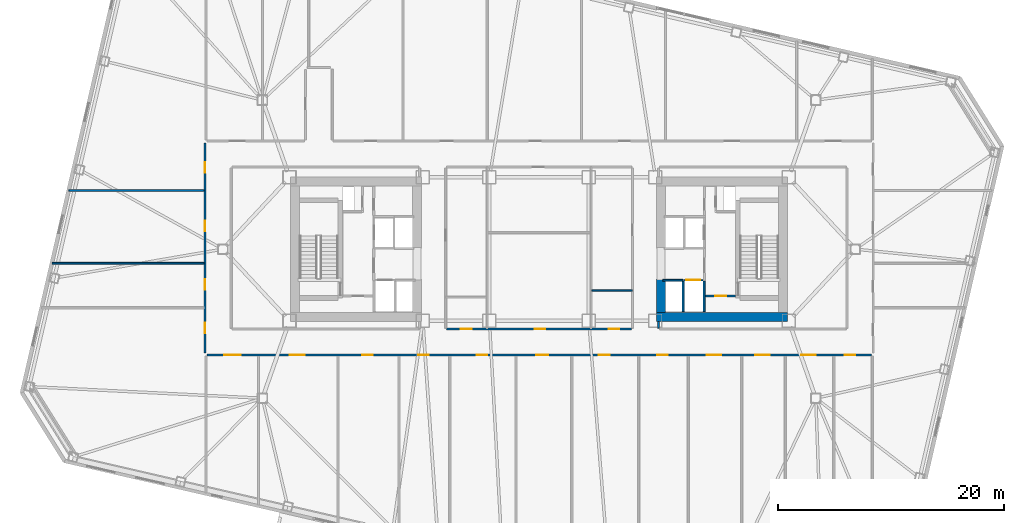
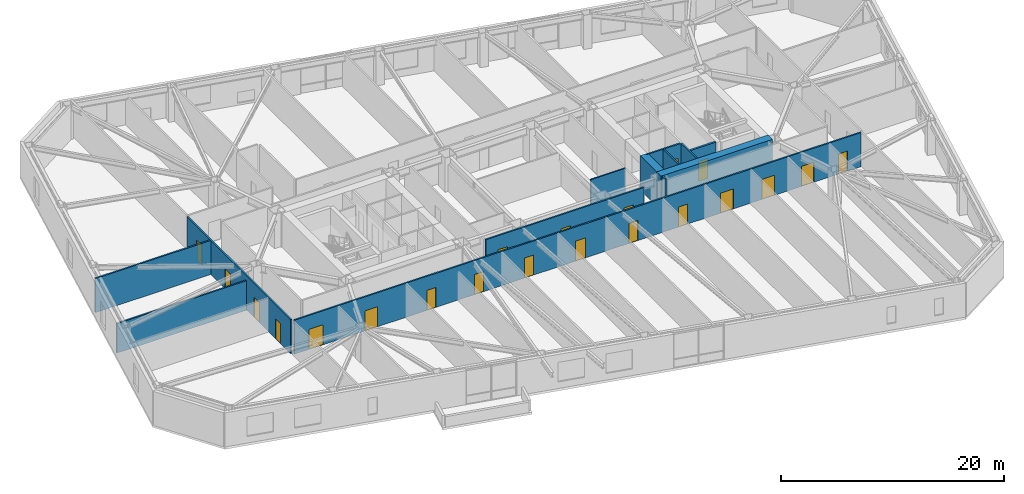
# One storey, part 13 of 22: 21 doors, 14 walls, 21 openings.
"""IFC4 building model written with IfcOpenShell, lengths in metres."""

from ifc_helpers import new_model, si_unit, direction, frame, frame_2d, origin, place, context, subcontext, project, spatial, rectangle, extrude, material, layer, layer_set, type_object, element, fill, save


model = new_model("IFC4")

# Units and contexts
model_context = context("Model", 3, precision=1e-05, world=origin(), true_north=direction((0.0, 1.0)))
body_context = subcontext(model_context, "Body", "Model", "MODEL_VIEW")
ifc_project = project(units=[si_unit("LENGTHUNIT", "METRE"), si_unit("AREAUNIT", "SQUARE_METRE"), si_unit("VOLUMEUNIT", "CUBIC_METRE"), si_unit("PLANEANGLEUNIT", "RADIAN"), si_unit("MASSUNIT", "GRAM", prefix="KILO")], contexts=[model_context])

# Site, building, storey
site_placement = place(None, origin())
site = spatial("IfcSite", under=ifc_project, at=site_placement, CompositionType="ELEMENT")
building_placement = place(site_placement, origin())
building = spatial("IfcBuilding", under=site, at=building_placement, Name="Tavrogorsk Clinical Tower", CompositionType="ELEMENT")
storey_placement = place(building_placement, frame((0.0, 0.0, 55.39990234375)))
storey = spatial("IfcBuildingStorey", under=building, at=storey_placement, Name="L11", CompositionType="ELEMENT", Elevation=55.39990234375)

# Wall, opening, door
ifc_material_1 = material(Name="Concrete B60", Category="concrete")
ifc_layer_1 = layer(ifc_material_1, 0.199951171875)
ifc_layer_set_1 = layer_set([ifc_layer_1], Name="Concrete B60")
wall_type_1 = type_object("IfcWallType", Name="CoreFireWall_200", PredefinedType="SOLIDWALL", material=ifc_layer_set_1)
wall_1_placement = place(storey_placement, frame((14.719970703125, -4.139892578125, 0.0), z_axis=(0.0, 0.0, 1.0), x_axis=(1.0, 0.0, 0.0)))
wall_1 = element("IfcWall", 1, at=wall_1_placement, inside=storey, type_object=wall_type_1, Name="L11 Core East South Core Room Fire Wall", PredefinedType="SOLIDWALL", context=body_context, shape_type="SweptSolid", body=[
    extrude(rectangle(XDim=2.659912109375, YDim=0.199951171875, at=frame_2d((1.330078125, 0.0))), origin(), (0.0, 0.0, 1.0), 3.739990234375),
])
opening_1_placement = place(wall_1_placement, frame((0.8798828125, 0.0, 0.0)))
opening_1 = element("IfcOpeningElement", 2, at=opening_1_placement, cuts=wall_1, Name="Opening ID-02", PredefinedType="OPENING", context=body_context, shape_type="SweptSolid", body=[
    extrude(rectangle(XDim=0.949951171875, YDim=2.199951171875, at=frame_2d((0.47509765625, 1.10009765625))), frame((0.0, 0.10986328125, 0.0), z_axis=(0.0, -1.0, 0.0), x_axis=(1.0, 0.0, 0.0)), (0.0, 0.0, 1.0), 0.219970703125),
])
ifc_material_2 = material(Name="Laminated timber leaf on aluminium frame", Category="wood")
door_type_1 = type_object("IfcDoorType", Name="InteriorDoor_ID02_950", OperationType="NOTDEFINED", PredefinedType="DOOR", material=ifc_material_2)
door_1_placement = place(opening_1_placement, origin())
door_1 = element("IfcDoor", 3, at=door_1_placement, inside=storey, type_object=door_type_1, Name="L11 Core East South Core Room Door", OperationType="SINGLE_SWING_RIGHT", OverallHeight=2.199951171875, OverallWidth=0.949951171875, PredefinedType="DOOR", context=body_context, shape_type="SweptSolid", body=[
    extrude(rectangle(XDim=0.949951171875, YDim=2.199951171875, at=frame_2d((0.47509765625, 1.10009765625))), frame((0.0, 0.02490234375, 0.0), z_axis=(0.0, -1.0, 0.0), x_axis=(1.0, 0.0, 0.0)), (0.0, 0.0, 1.0), 0.050048828125),
])
fill(opening_1, door_1)

# Wall
ifc_material_3 = material(Name="Lightweight concrete blockwork B15", Category="masonry")
ifc_layer_2 = layer(ifc_material_3, 0.139892578125)
ifc_layer_set_2 = layer_set([ifc_layer_2], Name="Lightweight concrete blockwork B15")
wall_type_2 = type_object("IfcWallType", Name="PartitionWall_140", PredefinedType="PARTITIONING", material=ifc_layer_set_2)
wall_2_placement = place(storey_placement, frame((4.675048828125, -3.64990234375, 0.0), z_axis=(0.0, 0.0, 1.0), x_axis=(1.0, 0.0, 0.0)))
element("IfcWall", 4, at=wall_2_placement, inside=storey, type_object=wall_type_2, Name="L11 Central Spine Partition 5", PredefinedType="PARTITIONING", context=body_context, shape_type="SweptSolid", body=[
    extrude(rectangle(XDim=3.58984375, YDim=0.139892578125, at=frame_2d((1.794921875, 0.0))), origin(), (0.0, 0.0, 1.0), 3.739990234375),
])

# Wall, openings, doors
ifc_material_4 = material(Name="Lightweight concrete blockwork B15", Category="masonry")
ifc_layer_3 = layer(ifc_material_4, 0.159912109375)
ifc_layer_set_3 = layer_set([ifc_layer_3], Name="Lightweight concrete blockwork B15")
wall_type_3 = type_object("IfcWallType", Name="PartitionWall_160", PredefinedType="PARTITIONING", material=ifc_layer_set_3)
wall_3_placement = place(storey_placement, frame((-29.580078125, -9.215087890625, 0.0), z_axis=(0.0, 0.0, 1.0), x_axis=(0.0, 1.0, 0.0)))
wall_3 = element("IfcWall", 5, at=wall_3_placement, inside=storey, type_object=wall_type_3, Name="L11 Corridor Partition 01", PredefinedType="PARTITIONING", context=body_context, shape_type="SweptSolid", body=[
    extrude(rectangle(XDim=18.630126953125, YDim=0.159912109375, at=frame_2d((9.31494140625, 0.0))), origin(), (0.0, 0.0, 1.0), 3.739990234375),
])
opening_2_placement = place(wall_3_placement, frame((1.76904296875, 0.0, 0.0)))
opening_2 = element("IfcOpeningElement", 6, at=opening_2_placement, cuts=wall_3, Name="Opening ID-02", PredefinedType="OPENING", context=body_context, shape_type="SweptSolid", body=[
    extrude(rectangle(XDim=0.949951171875, YDim=2.199951171875, at=frame_2d((0.47509765625, 1.10009765625))), frame((0.0, 0.08984375, 0.0), z_axis=(0.0, -1.0, 0.0), x_axis=(1.0, 0.0, 0.0)), (0.0, 0.0, 1.0), 0.179931640625),
])
opening_3_placement = place(wall_3_placement, frame((5.60009765625, 0.0, 0.0)))
opening_3 = element("IfcOpeningElement", 7, at=opening_3_placement, cuts=wall_3, Name="Opening ID-02", PredefinedType="OPENING", context=body_context, shape_type="SweptSolid", body=[
    extrude(rectangle(XDim=0.949951171875, YDim=2.199951171875, at=frame_2d((0.47509765625, 1.10009765625))), frame((0.0, 0.08984375, 0.0), z_axis=(0.0, -1.0, 0.0), x_axis=(1.0, 0.0, 0.0)), (0.0, 0.0, 1.0), 0.179931640625),
])
opening_4_placement = place(wall_3_placement, frame((10.800048828125, 0.0, 0.0)))
opening_4 = element("IfcOpeningElement", 8, at=opening_4_placement, cuts=wall_3, Name="Opening ID-02", PredefinedType="OPENING", context=body_context, shape_type="SweptSolid", body=[
    extrude(rectangle(XDim=0.949951171875, YDim=2.199951171875, at=frame_2d((0.47509765625, 1.10009765625))), frame((0.0, 0.08984375, 0.0), z_axis=(0.0, -1.0, 0.0), x_axis=(1.0, 0.0, 0.0)), (0.0, 0.0, 1.0), 0.179931640625),
])
opening_5_placement = place(wall_3_placement, frame((15.98095703125, 0.0, 0.0)))
opening_5 = element("IfcOpeningElement", 9, at=opening_5_placement, cuts=wall_3, Name="Opening ID-02", PredefinedType="OPENING", context=body_context, shape_type="SweptSolid", body=[
    extrude(rectangle(XDim=0.949951171875, YDim=2.199951171875, at=frame_2d((0.47509765625, 1.10009765625))), frame((0.0, 0.08984375, 0.0), z_axis=(0.0, -1.0, 0.0), x_axis=(1.0, 0.0, 0.0)), (0.0, 0.0, 1.0), 0.179931640625),
])
door_2_placement = place(opening_2_placement, origin())
door_2 = element("IfcDoor", 10, at=door_2_placement, inside=storey, type_object=door_type_1, Name="L11 W Solarium Day Room & Lounge 1 Door", OperationType="SINGLE_SWING_LEFT", OverallHeight=2.199951171875, OverallWidth=0.949951171875, PredefinedType="DOOR", context=body_context, shape_type="SweptSolid", body=[
    extrude(rectangle(XDim=0.949951171875, YDim=2.199951171875, at=frame_2d((0.47509765625, 1.10009765625))), frame((0.0, 0.02490234375, 0.0), z_axis=(0.0, -1.0, 0.0), x_axis=(1.0, 0.0, 0.0)), (0.0, 0.0, 1.0), 0.050048828125),
])
fill(opening_2, door_2)
door_3_placement = place(opening_3_placement, origin())
door_3 = element("IfcDoor", 11, at=door_3_placement, inside=storey, type_object=door_type_1, Name="L11 W Rehabilitation Therapy Suite 2 Door", OperationType="SINGLE_SWING_RIGHT", OverallHeight=2.199951171875, OverallWidth=0.949951171875, PredefinedType="DOOR", context=body_context, shape_type="SweptSolid", body=[
    extrude(rectangle(XDim=0.949951171875, YDim=2.199951171875, at=frame_2d((0.47509765625, 1.10009765625))), frame((0.0, 0.02490234375, 0.0), z_axis=(0.0, -1.0, 0.0), x_axis=(1.0, 0.0, 0.0)), (0.0, 0.0, 1.0), 0.050048828125),
])
fill(opening_3, door_3)
door_4_placement = place(opening_4_placement, origin())
door_4 = element("IfcDoor", 12, at=door_4_placement, inside=storey, type_object=door_type_1, Name="L11 W Sub-Acute Observation Suite 3 Door", OperationType="SINGLE_SWING_LEFT", OverallHeight=2.199951171875, OverallWidth=0.949951171875, PredefinedType="DOOR", context=body_context, shape_type="SweptSolid", body=[
    extrude(rectangle(XDim=0.949951171875, YDim=2.199951171875, at=frame_2d((0.47509765625, 1.10009765625))), frame((0.0, 0.02490234375, 0.0), z_axis=(0.0, -1.0, 0.0), x_axis=(1.0, 0.0, 0.0)), (0.0, 0.0, 1.0), 0.050048828125),
])
fill(opening_4, door_4)
door_5_placement = place(opening_5_placement, origin())
door_5 = element("IfcDoor", 13, at=door_5_placement, inside=storey, type_object=door_type_1, Name="L11 W Family Consultation Lounge 4 Door", OperationType="SINGLE_SWING_RIGHT", OverallHeight=2.199951171875, OverallWidth=0.949951171875, PredefinedType="DOOR", context=body_context, shape_type="SweptSolid", body=[
    extrude(rectangle(XDim=0.949951171875, YDim=2.199951171875, at=frame_2d((0.47509765625, 1.10009765625))), frame((0.0, 0.02490234375, 0.0), z_axis=(0.0, -1.0, 0.0), x_axis=(1.0, 0.0, 0.0)), (0.0, 0.0, 1.0), 0.050048828125),
])
fill(opening_5, door_5)

wall_4_placement = place(storey_placement, frame((29.4150390625, -9.3798828125, 0.0), z_axis=(0.0, 0.0, 1.0), x_axis=(-1.0, 0.0, 0.0)))
wall_4 = element("IfcWall", 14, at=wall_4_placement, inside=storey, type_object=wall_type_3, Name="L11 Corridor Partition 08", PredefinedType="PARTITIONING", context=body_context, shape_type="SweptSolid", body=[
    extrude(rectangle(XDim=58.830078125, YDim=0.159912109375, at=frame_2d((29.4150390625, 0.0))), origin(), (0.0, 0.0, 1.0), 3.739990234375),
])
opening_6_placement = place(wall_4_placement, frame((55.830810546875, 0.0, 0.0)))
opening_6 = element("IfcOpeningElement", 15, at=opening_6_placement, cuts=wall_4, Name="Opening ID-05", PredefinedType="OPENING", context=body_context, shape_type="SweptSolid", body=[
    extrude(rectangle(XDim=1.449951171875, YDim=2.199951171875, at=frame_2d((0.72509765625, 1.10009765625))), frame((0.0, 0.08984375, 0.0), z_axis=(0.0, -1.0, 0.0), x_axis=(1.0, 0.0, 0.0)), (0.0, 0.0, 1.0), 0.179931640625),
])
opening_7_placement = place(wall_4_placement, frame((50.175048828125, 0.0, 0.0)))
opening_7 = element("IfcOpeningElement", 16, at=opening_7_placement, cuts=wall_4, Name="Opening ID-01", PredefinedType="OPENING", context=body_context, shape_type="SweptSolid", body=[
    extrude(rectangle(XDim=1.300048828125, YDim=2.199951171875, at=frame_2d((0.64990234375, 1.10009765625))), frame((0.0, 0.08984375, 0.0), z_axis=(0.0, -1.0, 0.0), x_axis=(1.0, 0.0, 0.0)), (0.0, 0.0, 1.0), 0.179931640625),
])
opening_8_placement = place(wall_4_placement, frame((44.125, 0.0, 0.0)))
opening_8 = element("IfcOpeningElement", 17, at=opening_8_placement, cuts=wall_4, Name="Opening ID-02", PredefinedType="OPENING", context=body_context, shape_type="SweptSolid", body=[
    extrude(rectangle(XDim=0.949951171875, YDim=2.199951171875, at=frame_2d((0.47509765625, 1.10009765625))), frame((0.0, 0.08984375, 0.0), z_axis=(0.0, -1.0, 0.0), x_axis=(1.0, 0.0, 0.0)), (0.0, 0.0, 1.0), 0.179931640625),
])
opening_9_placement = place(wall_4_placement, frame((39.175048828125, 0.0, 0.0)))
opening_9 = element("IfcOpeningElement", 18, at=opening_9_placement, cuts=wall_4, Name="Opening ID-02", PredefinedType="OPENING", context=body_context, shape_type="SweptSolid", body=[
    extrude(rectangle(XDim=0.949951171875, YDim=2.199951171875, at=frame_2d((0.47509765625, 1.10009765625))), frame((0.0, 0.08984375, 0.0), z_axis=(0.0, -1.0, 0.0), x_axis=(1.0, 0.0, 0.0)), (0.0, 0.0, 1.0), 0.179931640625),
])
opening_10_placement = place(wall_4_placement, frame((34.0, 0.0, 0.0)))
opening_10 = element("IfcOpeningElement", 19, at=opening_10_placement, cuts=wall_4, Name="Opening ID-02", PredefinedType="OPENING", context=body_context, shape_type="SweptSolid", body=[
    extrude(rectangle(XDim=0.949951171875, YDim=2.199951171875, at=frame_2d((0.47509765625, 1.10009765625))), frame((0.0, 0.08984375, 0.0), z_axis=(0.0, -1.0, 0.0), x_axis=(1.0, 0.0, 0.0)), (0.0, 0.0, 1.0), 0.179931640625),
])
opening_11_placement = place(wall_4_placement, frame((28.60009765625, 0.0, 0.0)))
opening_11 = element("IfcOpeningElement", 20, at=opening_11_placement, cuts=wall_4, Name="Opening ID-04", PredefinedType="OPENING", context=body_context, shape_type="SweptSolid", body=[
    extrude(rectangle(XDim=1.050048828125, YDim=2.199951171875, at=frame_2d((0.52490234375, 1.10009765625))), frame((0.0, 0.08984375, 0.0), z_axis=(0.0, -1.0, 0.0), x_axis=(1.0, 0.0, 0.0)), (0.0, 0.0, 1.0), 0.179931640625),
])
opening_12_placement = place(wall_4_placement, frame((23.1650390625, 0.0, 0.0)))
opening_12 = element("IfcOpeningElement", 21, at=opening_12_placement, cuts=wall_4, Name="Opening ID-02", PredefinedType="OPENING", context=body_context, shape_type="SweptSolid", body=[
    extrude(rectangle(XDim=0.949951171875, YDim=2.199951171875, at=frame_2d((0.47509765625, 1.10009765625))), frame((0.0, 0.08984375, 0.0), z_axis=(0.0, -1.0, 0.0), x_axis=(1.0, 0.0, 0.0)), (0.0, 0.0, 1.0), 0.179931640625),
])
opening_13_placement = place(wall_4_placement, frame((18.014892578125, 0.0, 0.0)))
opening_13 = element("IfcOpeningElement", 22, at=opening_13_placement, cuts=wall_4, Name="Opening ID-02", PredefinedType="OPENING", context=body_context, shape_type="SweptSolid", body=[
    extrude(rectangle(XDim=0.949951171875, YDim=2.199951171875, at=frame_2d((0.47509765625, 1.10009765625))), frame((0.0, 0.08984375, 0.0), z_axis=(0.0, -1.0, 0.0), x_axis=(1.0, 0.0, 0.0)), (0.0, 0.0, 1.0), 0.179931640625),
])
opening_14_placement = place(wall_4_placement, frame((13.27490234375, 0.0, 0.0)))
opening_14 = element("IfcOpeningElement", 23, at=opening_14_placement, cuts=wall_4, Name="Opening ID-01", PredefinedType="OPENING", context=body_context, shape_type="SweptSolid", body=[
    extrude(rectangle(XDim=1.300048828125, YDim=2.199951171875, at=frame_2d((0.64990234375, 1.10009765625))), frame((0.0, 0.08984375, 0.0), z_axis=(0.0, -1.0, 0.0), x_axis=(1.0, 0.0, 0.0)), (0.0, 0.0, 1.0), 0.179931640625),
])
opening_15_placement = place(wall_4_placement, frame((8.97509765625, 0.0, 0.0)))
opening_15 = element("IfcOpeningElement", 24, at=opening_15_placement, cuts=wall_4, Name="Opening ID-01", PredefinedType="OPENING", context=body_context, shape_type="SweptSolid", body=[
    extrude(rectangle(XDim=1.300048828125, YDim=2.199951171875, at=frame_2d((0.64990234375, 1.10009765625))), frame((0.0, 0.08984375, 0.0), z_axis=(0.0, -1.0, 0.0), x_axis=(1.0, 0.0, 0.0)), (0.0, 0.0, 1.0), 0.179931640625),
])
opening_16_placement = place(wall_4_placement, frame((4.89990234375, 0.0, 0.0)))
opening_16 = element("IfcOpeningElement", 25, at=opening_16_placement, cuts=wall_4, Name="Opening ID-01", PredefinedType="OPENING", context=body_context, shape_type="SweptSolid", body=[
    extrude(rectangle(XDim=1.300048828125, YDim=2.199951171875, at=frame_2d((0.64990234375, 1.10009765625))), frame((0.0, 0.08984375, 0.0), z_axis=(0.0, -1.0, 0.0), x_axis=(1.0, 0.0, 0.0)), (0.0, 0.0, 1.0), 0.179931640625),
])
opening_17_placement = place(wall_4_placement, frame((1.419189453125, 0.0, 0.0)))
opening_17 = element("IfcOpeningElement", 26, at=opening_17_placement, cuts=wall_4, Name="Opening ID-02", PredefinedType="OPENING", context=body_context, shape_type="SweptSolid", body=[
    extrude(rectangle(XDim=0.949951171875, YDim=2.199951171875, at=frame_2d((0.47509765625, 1.10009765625))), frame((0.0, 0.08984375, 0.0), z_axis=(0.0, -1.0, 0.0), x_axis=(1.0, 0.0, 0.0)), (0.0, 0.0, 1.0), 0.179931640625),
])
ifc_material_5 = material(Name="Antibacterial HPL consultation door on aluminium frame", Category="aluminium")
door_type_2 = type_object("IfcDoorType", Name="ConsultDoor_ID04_1050", OperationType="NOTDEFINED", PredefinedType="DOOR", material=ifc_material_5)
door_6_placement = place(opening_11_placement, origin())
door_6 = element("IfcDoor", 27, at=door_6_placement, inside=storey, type_object=door_type_2, Name="L11 South Cardiology Diagnostics Room 04B Door", OperationType="SINGLE_SWING_RIGHT", OverallHeight=2.199951171875, OverallWidth=1.050048828125, PredefinedType="DOOR", context=body_context, shape_type="SweptSolid", body=[
    extrude(rectangle(XDim=1.050048828125, YDim=2.199951171875, at=frame_2d((0.52490234375, 1.10009765625))), frame((0.0, 0.02490234375, 0.0), z_axis=(0.0, -1.0, 0.0), x_axis=(1.0, 0.0, 0.0)), (0.0, 0.0, 1.0), 0.050048828125),
])
fill(opening_11, door_6)
ifc_material_6 = material(Name="Antibacterial HPL bariatric ward double door")
door_type_3 = type_object("IfcDoorType", Name="DoubleWardDoor_ID05_1450", OperationType="DOUBLE_SWING_LEFT", PredefinedType="DOOR", material=ifc_material_6)
door_7_placement = place(opening_6_placement, origin())
door_7 = element("IfcDoor", 28, at=door_7_placement, inside=storey, type_object=door_type_3, Name="L11 South Bariatric Observation Ward 01 Door", OperationType="DOUBLE_SWING_LEFT", OverallHeight=2.199951171875, OverallWidth=1.449951171875, PredefinedType="DOOR", context=body_context, shape_type="SweptSolid", body=[
    extrude(rectangle(XDim=1.449951171875, YDim=2.199951171875, at=frame_2d((0.72509765625, 1.10009765625))), frame((0.0, 0.02490234375, 0.0), z_axis=(0.0, -1.0, 0.0), x_axis=(1.0, 0.0, 0.0)), (0.0, 0.0, 1.0), 0.050048828125),
])
fill(opening_6, door_7)
door_8_placement = place(opening_8_placement, origin())
door_8 = element("IfcDoor", 29, at=door_8_placement, inside=storey, type_object=door_type_1, Name="L11 South Soiled Utility & Sluice Room 03A Door", OperationType="SINGLE_SWING_LEFT", OverallHeight=2.199951171875, OverallWidth=0.949951171875, PredefinedType="DOOR", context=body_context, shape_type="SweptSolid", body=[
    extrude(rectangle(XDim=0.949951171875, YDim=2.199951171875, at=frame_2d((0.47509765625, 1.10009765625))), frame((0.0, 0.02490234375, 0.0), z_axis=(0.0, -1.0, 0.0), x_axis=(1.0, 0.0, 0.0)), (0.0, 0.0, 1.0), 0.050048828125),
])
fill(opening_8, door_8)
door_9_placement = place(opening_9_placement, origin())
door_9 = element("IfcDoor", 30, at=door_9_placement, inside=storey, type_object=door_type_1, Name="L11 South Outpatient Procedure Suite 03B Door", OperationType="SINGLE_SWING_RIGHT", OverallHeight=2.199951171875, OverallWidth=0.949951171875, PredefinedType="DOOR", context=body_context, shape_type="SweptSolid", body=[
    extrude(rectangle(XDim=0.949951171875, YDim=2.199951171875, at=frame_2d((0.47509765625, 1.10009765625))), frame((0.0, 0.02490234375, 0.0), z_axis=(0.0, -1.0, 0.0), x_axis=(1.0, 0.0, 0.0)), (0.0, 0.0, 1.0), 0.050048828125),
])
fill(opening_9, door_9)
door_10_placement = place(opening_10_placement, origin())
door_10 = element("IfcDoor", 31, at=door_10_placement, inside=storey, type_object=door_type_1, Name="L11 South Clinical Case Seminar Room 04A Door", OperationType="SINGLE_SWING_LEFT", OverallHeight=2.199951171875, OverallWidth=0.949951171875, PredefinedType="DOOR", context=body_context, shape_type="SweptSolid", body=[
    extrude(rectangle(XDim=0.949951171875, YDim=2.199951171875, at=frame_2d((0.47509765625, 1.10009765625))), frame((0.0, 0.02490234375, 0.0), z_axis=(0.0, -1.0, 0.0), x_axis=(1.0, 0.0, 0.0)), (0.0, 0.0, 1.0), 0.050048828125),
])
fill(opening_10, door_10)
door_11_placement = place(opening_12_placement, origin())
door_11 = element("IfcDoor", 32, at=door_11_placement, inside=storey, type_object=door_type_1, Name="L11 South Staff Rest & Nourishment Lounge 05A Door", OperationType="SINGLE_SWING_LEFT", OverallHeight=2.199951171875, OverallWidth=0.949951171875, PredefinedType="DOOR", context=body_context, shape_type="SweptSolid", body=[
    extrude(rectangle(XDim=0.949951171875, YDim=2.199951171875, at=frame_2d((0.47509765625, 1.10009765625))), frame((0.0, 0.02490234375, 0.0), z_axis=(0.0, -1.0, 0.0), x_axis=(1.0, 0.0, 0.0)), (0.0, 0.0, 1.0), 0.050048828125),
])
fill(opening_12, door_11)
door_12_placement = place(opening_13_placement, origin())
door_12 = element("IfcDoor", 33, at=door_12_placement, inside=storey, type_object=door_type_1, Name="L11 South Attending Physician Office 05B Door", OperationType="SINGLE_SWING_RIGHT", OverallHeight=2.199951171875, OverallWidth=0.949951171875, PredefinedType="DOOR", context=body_context, shape_type="SweptSolid", body=[
    extrude(rectangle(XDim=0.949951171875, YDim=2.199951171875, at=frame_2d((0.47509765625, 1.10009765625))), frame((0.0, 0.02490234375, 0.0), z_axis=(0.0, -1.0, 0.0), x_axis=(1.0, 0.0, 0.0)), (0.0, 0.0, 1.0), 0.050048828125),
])
fill(opening_13, door_12)
door_13_placement = place(opening_17_placement, origin())
door_13 = element("IfcDoor", 34, at=door_13_placement, inside=storey, type_object=door_type_1, Name="L11 South Clean Medication & Prep Room 07B Door", OperationType="SINGLE_SWING_RIGHT", OverallHeight=2.199951171875, OverallWidth=0.949951171875, PredefinedType="DOOR", context=body_context, shape_type="SweptSolid", body=[
    extrude(rectangle(XDim=0.949951171875, YDim=2.199951171875, at=frame_2d((0.47509765625, 1.10009765625))), frame((0.0, 0.02490234375, 0.0), z_axis=(0.0, -1.0, 0.0), x_axis=(1.0, 0.0, 0.0)), (0.0, 0.0, 1.0), 0.050048828125),
])
fill(opening_17, door_13)
ifc_material_7 = material(Name="Antibacterial HPL medical leaf on aluminium frame", Category="aluminium")
door_type_4 = type_object("IfcDoorType", Name="WardBedDoor_ID01_1300", OperationType="NOTDEFINED", PredefinedType="DOOR", material=ifc_material_7)
door_14_placement = place(opening_7_placement, origin())
door_14 = element("IfcDoor", 35, at=door_14_placement, inside=storey, type_object=door_type_4, Name="L11 South Surgical Step-Down Ward 02 Door", OperationType="SINGLE_SWING_RIGHT", OverallHeight=2.199951171875, OverallWidth=1.300048828125, PredefinedType="DOOR", context=body_context, shape_type="SweptSolid", body=[
    extrude(rectangle(XDim=1.300048828125, YDim=2.199951171875, at=frame_2d((0.64990234375, 1.10009765625))), frame((0.0, 0.02490234375, 0.0), z_axis=(0.0, -1.0, 0.0), x_axis=(1.0, 0.0, 0.0)), (0.0, 0.0, 1.0), 0.050048828125),
])
fill(opening_7, door_14)
door_15_placement = place(opening_14_placement, origin())
door_15 = element("IfcDoor", 36, at=door_15_placement, inside=storey, type_object=door_type_4, Name="L11 South Bariatric Observation Ward 06A Door", OperationType="SINGLE_SWING_LEFT", OverallHeight=2.199951171875, OverallWidth=1.300048828125, PredefinedType="DOOR", context=body_context, shape_type="SweptSolid", body=[
    extrude(rectangle(XDim=1.300048828125, YDim=2.199951171875, at=frame_2d((0.64990234375, 1.10009765625))), frame((0.0, 0.02490234375, 0.0), z_axis=(0.0, -1.0, 0.0), x_axis=(1.0, 0.0, 0.0)), (0.0, 0.0, 1.0), 0.050048828125),
])
fill(opening_14, door_15)
door_16_placement = place(opening_15_placement, origin())
door_16 = element("IfcDoor", 37, at=door_16_placement, inside=storey, type_object=door_type_4, Name="L11 South Acute Medical Ward 06B Door", OperationType="SINGLE_SWING_RIGHT", OverallHeight=2.199951171875, OverallWidth=1.300048828125, PredefinedType="DOOR", context=body_context, shape_type="SweptSolid", body=[
    extrude(rectangle(XDim=1.300048828125, YDim=2.199951171875, at=frame_2d((0.64990234375, 1.10009765625))), frame((0.0, 0.02490234375, 0.0), z_axis=(0.0, -1.0, 0.0), x_axis=(1.0, 0.0, 0.0)), (0.0, 0.0, 1.0), 0.050048828125),
])
fill(opening_15, door_16)
door_17_placement = place(opening_16_placement, origin())
door_17 = element("IfcDoor", 38, at=door_17_placement, inside=storey, type_object=door_type_4, Name="L11 South Surgical Step-Down Ward 07A Door", OperationType="SINGLE_SWING_LEFT", OverallHeight=2.199951171875, OverallWidth=1.300048828125, PredefinedType="DOOR", context=body_context, shape_type="SweptSolid", body=[
    extrude(rectangle(XDim=1.300048828125, YDim=2.199951171875, at=frame_2d((0.64990234375, 1.10009765625))), frame((0.0, 0.02490234375, 0.0), z_axis=(0.0, -1.0, 0.0), x_axis=(1.0, 0.0, 0.0)), (0.0, 0.0, 1.0), 0.050048828125),
])
fill(opening_16, door_17)

# Wall
wall_5_placement = place(storey_placement, frame((10.580078125, -6.419921875, 0.0), z_axis=(0.0, 0.0, 1.0), x_axis=(0.0, -1.0, 0.0)))
element("IfcWall", 39, at=wall_5_placement, inside=storey, type_object=wall_type_3, Name="L11 Corridor Partition 11", PredefinedType="PARTITIONING", context=body_context, shape_type="SweptSolid", body=[
    extrude(rectangle(XDim=0.565185546875, YDim=0.159912109375, at=frame_2d((0.28271484375, 0.0))), origin(), (0.0, 0.0, 1.0), 3.739990234375),
])

# Wall, openings, doors
wall_6_placement = place(storey_placement, frame((-8.18505859375, -7.070068359375, 0.0), z_axis=(0.0, 0.0, 1.0), x_axis=(1.0, 0.0, 0.0)))
wall_6 = element("IfcWall", 40, at=wall_6_placement, inside=storey, type_object=wall_type_3, Name="L11 Corridor Partition 17", PredefinedType="PARTITIONING", context=body_context, shape_type="SweptSolid", body=[
    extrude(rectangle(XDim=16.3701171875, YDim=0.159912109375, at=frame_2d((8.18505859375, 0.0))), origin(), (0.0, 0.0, 1.0), 3.739990234375),
])
opening_18_placement = place(wall_6_placement, frame((1.254150390625, 0.0, 0.0)))
opening_18 = element("IfcOpeningElement", 41, at=opening_18_placement, cuts=wall_6, Name="Opening ID-02", PredefinedType="OPENING", context=body_context, shape_type="SweptSolid", body=[
    extrude(rectangle(XDim=0.949951171875, YDim=2.199951171875, at=frame_2d((0.47509765625, 1.10009765625))), frame((0.0, 0.08984375, 0.0), z_axis=(0.0, -1.0, 0.0), x_axis=(1.0, 0.0, 0.0)), (0.0, 0.0, 1.0), 0.179931640625),
])
opening_19_placement = place(wall_6_placement, frame((7.794921875, 0.0, 0.0)))
opening_19 = element("IfcOpeningElement", 42, at=opening_19_placement, cuts=wall_6, Name="Opening ID-02", PredefinedType="OPENING", context=body_context, shape_type="SweptSolid", body=[
    extrude(rectangle(XDim=0.949951171875, YDim=2.199951171875, at=frame_2d((0.47509765625, 1.10009765625))), frame((0.0, 0.08984375, 0.0), z_axis=(0.0, -1.0, 0.0), x_axis=(1.0, 0.0, 0.0)), (0.0, 0.0, 1.0), 0.179931640625),
])
opening_20_placement = place(wall_6_placement, frame((14.3359375, 0.0, 0.0)))
opening_20 = element("IfcOpeningElement", 43, at=opening_20_placement, cuts=wall_6, Name="Opening ID-02", PredefinedType="OPENING", context=body_context, shape_type="SweptSolid", body=[
    extrude(rectangle(XDim=0.949951171875, YDim=2.199951171875, at=frame_2d((0.47509765625, 1.10009765625))), frame((0.0, 0.08984375, 0.0), z_axis=(0.0, -1.0, 0.0), x_axis=(1.0, 0.0, 0.0)), (0.0, 0.0, 1.0), 0.179931640625),
])
door_18_placement = place(opening_18_placement, origin())
door_18 = element("IfcDoor", 44, at=door_18_placement, inside=storey, type_object=door_type_1, Name="L11 Accessible Patient Lavatory Door", OperationType="SINGLE_SWING_LEFT", OverallHeight=2.199951171875, OverallWidth=0.949951171875, PredefinedType="DOOR", context=body_context, shape_type="SweptSolid", body=[
    extrude(rectangle(XDim=0.949951171875, YDim=2.199951171875, at=frame_2d((0.47509765625, 1.10009765625))), frame((0.0, 0.02490234375, 0.0), z_axis=(0.0, -1.0, 0.0), x_axis=(1.0, 0.0, 0.0)), (0.0, 0.0, 1.0), 0.050048828125),
])
fill(opening_18, door_18)
door_19_placement = place(opening_19_placement, origin())
door_19 = element("IfcDoor", 45, at=door_19_placement, inside=storey, type_object=door_type_1, Name="L11 Multidisciplinary Conference Room Door", OperationType="SINGLE_SWING_LEFT", OverallHeight=2.199951171875, OverallWidth=0.949951171875, PredefinedType="DOOR", context=body_context, shape_type="SweptSolid", body=[
    extrude(rectangle(XDim=0.949951171875, YDim=2.199951171875, at=frame_2d((0.47509765625, 1.10009765625))), frame((0.0, 0.02490234375, 0.0), z_axis=(0.0, -1.0, 0.0), x_axis=(1.0, 0.0, 0.0)), (0.0, 0.0, 1.0), 0.050048828125),
])
fill(opening_19, door_19)
door_20_placement = place(opening_20_placement, origin())
door_20 = element("IfcDoor", 46, at=door_20_placement, inside=storey, type_object=door_type_1, Name="L11 Staff & Visitor Accessible WC Door", OperationType="SINGLE_SWING_LEFT", OverallHeight=2.199951171875, OverallWidth=0.949951171875, PredefinedType="DOOR", context=body_context, shape_type="SweptSolid", body=[
    extrude(rectangle(XDim=0.949951171875, YDim=2.199951171875, at=frame_2d((0.47509765625, 1.10009765625))), frame((0.0, 0.02490234375, 0.0), z_axis=(0.0, -1.0, 0.0), x_axis=(1.0, 0.0, 0.0)), (0.0, 0.0, 1.0), 0.050048828125),
])
fill(opening_20, door_20)

# Walls
wall_7_placement = place(storey_placement, frame((-43.130126953125, -1.25, 0.0), z_axis=(0.0, 0.0, 1.0), x_axis=(1.0, 0.0, 0.0)))
element("IfcWall", 47, at=wall_7_placement, inside=storey, type_object=wall_type_3, Name="L11 W Wing Divider 2", PredefinedType="PARTITIONING", context=body_context, shape_type="SweptSolid", body=[
    extrude(rectangle(XDim=13.465087890625, YDim=0.159912109375, at=frame_2d((6.732421875, 0.0))), origin(), (0.0, 0.0, 1.0), 3.235107421875),
])
wall_8_placement = place(storey_placement, frame((-41.64111328125, 5.199951171875, 0.0), z_axis=(0.0, 0.0, 1.0), x_axis=(1.0, 0.0, 0.0)))
element("IfcWall", 48, at=wall_8_placement, inside=storey, type_object=wall_type_3, Name="L11 W Wing Divider 3", PredefinedType="PARTITIONING", context=body_context, shape_type="SweptSolid", body=[
    extrude(rectangle(XDim=11.97607421875, YDim=0.159912109375, at=frame_2d((5.988037109375, 0.0))), origin(), (0.0, 0.0, 1.0), 3.739990234375),
])

# Wall, opening, door
ifc_material_8 = material(Name="Lightweight concrete blockwork B25", Category="masonry")
ifc_layer_4 = layer(ifc_material_8, 0.159912109375)
ifc_layer_set_4 = layer_set([ifc_layer_4], Name="Lightweight concrete blockwork B25")
wall_type_4 = type_object("IfcWallType", Name="ShaftWall_160", PredefinedType="PARTITIONING", material=ifc_layer_set_4)
wall_9_placement = place(storey_placement, frame((12.77001953125, -2.75, 0.0), z_axis=(0.0, 0.0, 1.0), x_axis=(1.0, 0.0, 0.0)))
wall_9 = element("IfcWall", 49, at=wall_9_placement, inside=storey, type_object=wall_type_4, Name="L11 LP-L2 Lift Shaft Portal Wall", PredefinedType="PARTITIONING", context=body_context, shape_type="SweptSolid", body=[
    extrude(rectangle(XDim=1.760009765625, YDim=0.159912109375, at=frame_2d((0.8798828125, 0.0))), origin(), (0.0, 0.0, 1.0), 3.739990234375),
])
opening_21_placement = place(wall_9_placement, frame((0.280029296875, 0.0, 0.0)))
opening_21 = element("IfcOpeningElement", 50, at=opening_21_placement, cuts=wall_9, Name="Opening LD", PredefinedType="OPENING", context=body_context, shape_type="SweptSolid", body=[
    extrude(rectangle(XDim=1.199951171875, YDim=2.199951171875, at=frame_2d((0.60009765625, 1.10009765625))), frame((0.0, 0.08984375, 0.0), z_axis=(0.0, -1.0, 0.0), x_axis=(1.0, 0.0, 0.0)), (0.0, 0.0, 1.0), 0.179931640625),
])
ifc_material_9 = material(Name="Brushed stainless steel AISI 304 sliding doors", Category="steel")
door_type_5 = type_object("IfcDoorType", Name="LiftLandingDoor_LD_1200", OperationType="SLIDING_TO_LEFT", PredefinedType="DOOR", material=ifc_material_9)
door_21_placement = place(opening_21_placement, origin())
door_21 = element("IfcDoor", 51, at=door_21_placement, inside=storey, type_object=door_type_5, Name="L11 LP-L2 Sliding Lift Landing Door", OperationType="SLIDING_TO_LEFT", OverallHeight=2.199951171875, OverallWidth=1.199951171875, PredefinedType="DOOR", context=body_context, shape_type="SweptSolid", body=[
    extrude(rectangle(XDim=1.199951171875, YDim=2.199951171875, at=frame_2d((0.60009765625, 1.10009765625))), frame((0.0, 0.02490234375, 0.0), z_axis=(0.0, -1.0, 0.0), x_axis=(1.0, 0.0, 0.0)), (0.0, 0.0, 1.0), 0.050048828125),
])
fill(opening_21, door_21)

# Walls
for number, where, z_axis, x_axis, name in (
    (52, (12.75, -5.5400390625, 0.0), (0.0, 0.0, 1.0), (0.0, 1.0, 0.0), "L11 LP-L2 Lift Hoistway Divider Wall"),
    (53, (14.610107421875, -5.5400390625, 0.0), (0.0, 0.0, 1.0), (0.0, 1.0, 0.0), "L11 LP-L2 Lift Hoistway Outer Cheek Wall"),
):
    element("IfcWall", number, at=place(storey_placement, frame(where, z_axis=z_axis, x_axis=x_axis)), inside=storey, type_object=wall_type_4, Name=name, PredefinedType="PARTITIONING", context=body_context, shape_type="SweptSolid", body=[
        extrude(rectangle(XDim=2.699951171875, YDim=0.159912109375, at=frame_2d((1.35009765625, 0.0))), origin(), (0.0, 0.0, 1.0), 3.739990234375),
    ])
wall_10_placement = place(storey_placement, frame((10.969970703125, -2.75, 0.0), z_axis=(0.0, 0.0, 1.0), x_axis=(1.0, 0.0, 0.0)))
element("IfcWall", 54, at=wall_10_placement, inside=storey, type_object=wall_type_4, Name="L11 LP-M2 Lift Shaft Portal Wall", PredefinedType="PARTITIONING", context=body_context, shape_type="SweptSolid", body=[
    extrude(rectangle(XDim=1.760009765625, YDim=0.159912109375, at=frame_2d((0.8798828125, 0.0))), origin(), (0.0, 0.0, 1.0), 3.739990234375),
])
ifc_material_10 = material(Name="Concrete B80", Category="concrete")
ifc_layer_5 = layer(ifc_material_10, 0.800048828125)
ifc_layer_set_5 = layer_set([ifc_layer_5], Name="Concrete B80")
wall_type_5 = type_object("IfcWallType", Name="ShearWall_800", PredefinedType="SHEAR", material=ifc_layer_set_5)
wall_11_placement = place(storey_placement, frame((10.39990234375, -6.0, 0.0), z_axis=(0.0, 0.0, 1.0), x_axis=(1.0, 0.0, 0.0)))
element("IfcWall", 55, at=wall_11_placement, inside=storey, type_object=wall_type_5, Name="L11 Core East South Shear Wall", PredefinedType="SHEAR", context=body_context, shape_type="SweptSolid", body=[
    extrude(rectangle(XDim=11.60009765625, YDim=0.800048828125, at=frame_2d((5.800048828125, 0.0))), origin(), (0.0, 0.0, 1.0), 3.739990234375),
])
wall_12_placement = place(storey_placement, frame((10.800048828125, -5.60009765625, 0.0), z_axis=(0.0, 0.0, 1.0), x_axis=(0.0, 1.0, 0.0)))
element("IfcWall", 56, at=wall_12_placement, inside=storey, type_object=wall_type_5, Name="L11 Core East Inner South Pier", PredefinedType="SHEAR", context=body_context, shape_type="SweptSolid", body=[
    extrude(rectangle(XDim=2.9501953125, YDim=0.800048828125, at=frame_2d((1.47509765625, 0.0))), origin(), (0.0, 0.0, 1.0), 3.739990234375),
])

save(model, "model.ifc")
